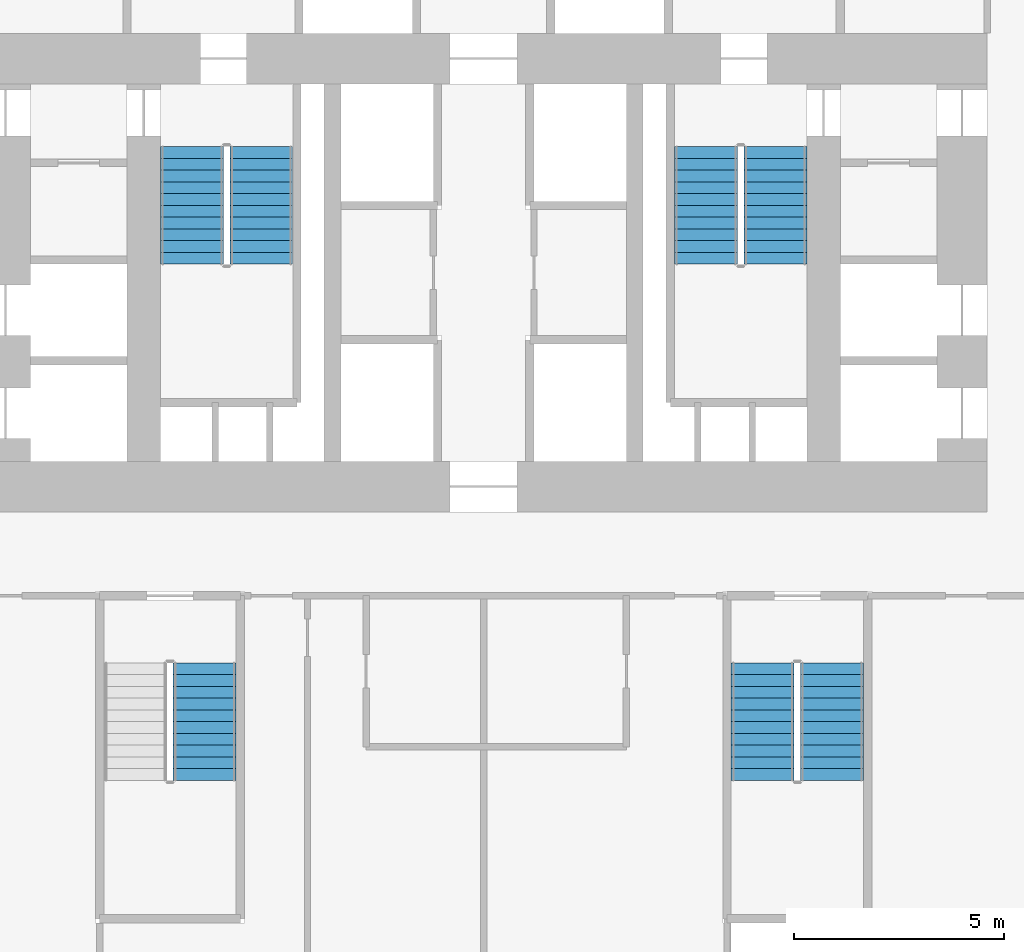
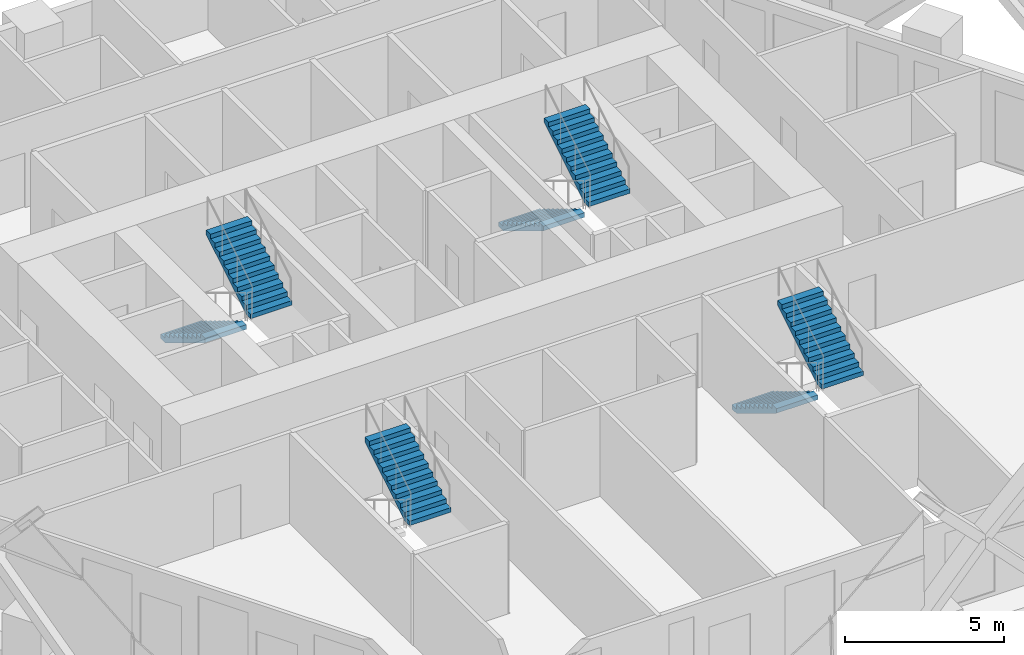
# One storey, part 16 of 22: 7 stair flights, 4 elements without a shape of their own.
"""IFC4 building model written with IfcOpenShell, lengths in metres."""

from ifc_helpers import new_model, si_unit, direction, frame, origin, place, context, subcontext, project, spatial, polyline, outline, extrude, material, type_object, element, aggregate, save


model = new_model("IFC4")

# Units and contexts
model_context = context("Model", 3, precision=1e-05, world=origin(), true_north=direction((0.0, 1.0)))
body_context = subcontext(model_context, "Body", "Model", "MODEL_VIEW")
ifc_project = project(units=[si_unit("LENGTHUNIT", "METRE"), si_unit("AREAUNIT", "SQUARE_METRE"), si_unit("VOLUMEUNIT", "CUBIC_METRE"), si_unit("PLANEANGLEUNIT", "RADIAN"), si_unit("MASSUNIT", "GRAM", prefix="KILO")], contexts=[model_context])

# Site, building, storey
site_placement = place(None, origin())
site = spatial("IfcSite", under=ifc_project, at=site_placement, CompositionType="ELEMENT")
building_placement = place(site_placement, origin())
building = spatial("IfcBuilding", under=site, at=building_placement, Name="Ostrander Bayou Hotel Tower", CompositionType="ELEMENT")
storey_placement = place(building_placement, frame((0.0, 0.0, 46.75)))
storey = spatial("IfcBuildingStorey", under=building, at=storey_placement, Name="L11", CompositionType="ELEMENT", Elevation=46.75)

# Stair, stair flights
ifc_material_1 = material(Name="Concrete f'c 45 MPa", Category="concrete")
stair_type = type_object("IfcStairType", Name="ST1 exit stair 1500 mm f'c 45 MPa", PredefinedType="HALF_TURN_STAIR", material=ifc_material_1)
stair_1_placement = place(storey_placement, origin())
stair_1 = element("IfcStair", 1, at=stair_1_placement, inside=storey, type_object=stair_type, Name="L11 exit stair A", PredefinedType="HALF_TURN_STAIR")
ifc_material_2 = material(Name="Concrete f'c 45 MPa", Category="concrete")
stair_flight_type = type_object("IfcStairFlightType", Name="SF1 stair flight 1500 mm f'c 45 MPa", PredefinedType="STRAIGHT", material=ifc_material_2)
stair_flight_1_placement = place(storey_placement, frame((-6.949951171875, 7.0, 0.0), z_axis=(0.0, 0.0, 1.0), x_axis=(0.0, -1.0, 0.0)))
stair_flight_1 = element("IfcStairFlight", 2, at=stair_flight_1_placement, type_object=stair_flight_type, Name="STA flight 1", NumberOfRisers=11, NumberOfTreads=10, PredefinedType="STRAIGHT", RiserHeight=0.170454545, TreadLength=0.28, context=body_context, shape_type="SweptSolid", body=[
    extrude(outline(polyline([(0.0, 0.0), (0.0, 0.17041015625), (0.280029296875, 0.17041015625), (0.280029296875, 0.3408203125), (0.56005859375, 0.3408203125), (0.56005859375, 0.511474609375), (0.840087890625, 0.511474609375), (0.840087890625, 0.681884765625), (1.1201171875, 0.681884765625), (1.1201171875, 0.852294921875), (1.39990234375, 0.852294921875), (1.39990234375, 1.022705078125), (1.679931640625, 1.022705078125), (1.679931640625, 1.193115234375), (1.9599609375, 1.193115234375), (1.9599609375, 1.363525390625), (2.239990234375, 1.363525390625), (2.239990234375, 1.5341796875), (2.52001953125, 1.5341796875), (2.52001953125, 1.70458984375), (2.800048828125, 1.70458984375), (2.800048828125, 1.875), (2.800048828125, 1.529052734375), (0.288330078125, 0.0), (0.0, 0.0)])), frame((0.0, 0.75, 0.0), z_axis=(0.0, -1.0, 0.0), x_axis=(1.0, 0.0, 0.0)), (0.0, 0.0, 1.0), 1.5),
])
stair_flight_2_placement = place(storey_placement, frame((-5.300048828125, 4.199951171875, 1.875), z_axis=(0.0, 0.0, 1.0), x_axis=(0.0, 1.0, 0.0)))
stair_flight_2 = element("IfcStairFlight", 3, at=stair_flight_2_placement, type_object=stair_flight_type, Name="STA flight 2", NumberOfRisers=11, NumberOfTreads=10, PredefinedType="STRAIGHT", RiserHeight=0.170454545, TreadLength=0.28, context=body_context, shape_type="SweptSolid", body=[
    extrude(outline(polyline([(0.0, 0.0), (0.0, 0.17041015625), (0.280029296875, 0.17041015625), (0.280029296875, 0.3408203125), (0.56005859375, 0.3408203125), (0.56005859375, 0.511474609375), (0.840087890625, 0.511474609375), (0.840087890625, 0.681884765625), (1.1201171875, 0.681884765625), (1.1201171875, 0.852294921875), (1.39990234375, 0.852294921875), (1.39990234375, 1.022705078125), (1.679931640625, 1.022705078125), (1.679931640625, 1.193115234375), (1.9599609375, 1.193115234375), (1.9599609375, 1.363525390625), (2.239990234375, 1.363525390625), (2.239990234375, 1.5341796875), (2.52001953125, 1.5341796875), (2.52001953125, 1.70458984375), (2.800048828125, 1.70458984375), (2.800048828125, 1.875), (2.800048828125, 1.529052734375), (0.288330078125, 0.0), (0.0, 0.0)])), frame((0.0, 0.75, 0.0), z_axis=(0.0, -1.0, 0.0), x_axis=(1.0, 0.0, 0.0)), (0.0, 0.0, 1.0), 1.5),
])
aggregate(stair_1, [stair_flight_1, stair_flight_2])

stair_2_placement = place(storey_placement, origin())
stair_2 = element("IfcStair", 4, at=stair_2_placement, inside=storey, type_object=stair_type, Name="L11 exit stair B", PredefinedType="HALF_TURN_STAIR")
stair_flight_3_placement = place(storey_placement, frame((5.300048828125, 7.0, 0.0), z_axis=(0.0, 0.0, 1.0), x_axis=(0.0, -1.0, 0.0)))
stair_flight_3 = element("IfcStairFlight", 5, at=stair_flight_3_placement, type_object=stair_flight_type, Name="STB flight 1", NumberOfRisers=11, NumberOfTreads=10, PredefinedType="STRAIGHT", RiserHeight=0.170454545, TreadLength=0.28, context=body_context, shape_type="SweptSolid", body=[
    extrude(outline(polyline([(0.0, 0.0), (0.0, 0.17041015625), (0.280029296875, 0.17041015625), (0.280029296875, 0.3408203125), (0.56005859375, 0.3408203125), (0.56005859375, 0.511474609375), (0.840087890625, 0.511474609375), (0.840087890625, 0.681884765625), (1.1201171875, 0.681884765625), (1.1201171875, 0.852294921875), (1.39990234375, 0.852294921875), (1.39990234375, 1.022705078125), (1.679931640625, 1.022705078125), (1.679931640625, 1.193115234375), (1.9599609375, 1.193115234375), (1.9599609375, 1.363525390625), (2.239990234375, 1.363525390625), (2.239990234375, 1.5341796875), (2.52001953125, 1.5341796875), (2.52001953125, 1.70458984375), (2.800048828125, 1.70458984375), (2.800048828125, 1.875), (2.800048828125, 1.529052734375), (0.288330078125, 0.0), (0.0, 0.0)])), frame((0.0, 0.75, 0.0), z_axis=(0.0, -1.0, 0.0), x_axis=(1.0, 0.0, 0.0)), (0.0, 0.0, 1.0), 1.5),
])
stair_flight_4_placement = place(storey_placement, frame((6.949951171875, 4.199951171875, 1.875), z_axis=(0.0, 0.0, 1.0), x_axis=(0.0, 1.0, 0.0)))
stair_flight_4 = element("IfcStairFlight", 6, at=stair_flight_4_placement, type_object=stair_flight_type, Name="STB flight 2", NumberOfRisers=11, NumberOfTreads=10, PredefinedType="STRAIGHT", RiserHeight=0.170454545, TreadLength=0.28, context=body_context, shape_type="SweptSolid", body=[
    extrude(outline(polyline([(0.0, 0.0), (0.0, 0.17041015625), (0.280029296875, 0.17041015625), (0.280029296875, 0.3408203125), (0.56005859375, 0.3408203125), (0.56005859375, 0.511474609375), (0.840087890625, 0.511474609375), (0.840087890625, 0.681884765625), (1.1201171875, 0.681884765625), (1.1201171875, 0.852294921875), (1.39990234375, 0.852294921875), (1.39990234375, 1.022705078125), (1.679931640625, 1.022705078125), (1.679931640625, 1.193115234375), (1.9599609375, 1.193115234375), (1.9599609375, 1.363525390625), (2.239990234375, 1.363525390625), (2.239990234375, 1.5341796875), (2.52001953125, 1.5341796875), (2.52001953125, 1.70458984375), (2.800048828125, 1.70458984375), (2.800048828125, 1.875), (2.800048828125, 1.529052734375), (0.288330078125, 0.0), (0.0, 0.0)])), frame((0.0, 0.75, 0.0), z_axis=(0.0, -1.0, 0.0), x_axis=(1.0, 0.0, 0.0)), (0.0, 0.0, 1.0), 1.5),
])
aggregate(stair_2, [stair_flight_3, stair_flight_4])

stair_3_placement = place(storey_placement, origin())
stair_3 = element("IfcStair", 7, at=stair_3_placement, inside=storey, type_object=stair_type, Name="L11 exit stair C", PredefinedType="HALF_TURN_STAIR")
stair_flight_5_placement = place(storey_placement, frame((6.64990234375, -5.300048828125, 0.0), z_axis=(0.0, 0.0, 1.0), x_axis=(0.0, -1.0, 0.0)))
stair_flight_5 = element("IfcStairFlight", 8, at=stair_flight_5_placement, type_object=stair_flight_type, Name="STC flight 1", NumberOfRisers=11, NumberOfTreads=10, PredefinedType="STRAIGHT", RiserHeight=0.170454545, TreadLength=0.28, context=body_context, shape_type="SweptSolid", body=[
    extrude(outline(polyline([(0.0, 0.0), (0.0, 0.17041015625), (0.280029296875, 0.17041015625), (0.280029296875, 0.3408203125), (0.56005859375, 0.3408203125), (0.56005859375, 0.511474609375), (0.840087890625, 0.511474609375), (0.840087890625, 0.681884765625), (1.1201171875, 0.681884765625), (1.1201171875, 0.852294921875), (1.39990234375, 0.852294921875), (1.39990234375, 1.022705078125), (1.679931640625, 1.022705078125), (1.679931640625, 1.193115234375), (1.9599609375, 1.193115234375), (1.9599609375, 1.363525390625), (2.239990234375, 1.363525390625), (2.239990234375, 1.5341796875), (2.52001953125, 1.5341796875), (2.52001953125, 1.70458984375), (2.800048828125, 1.70458984375), (2.800048828125, 1.875), (2.800048828125, 1.529052734375), (0.288330078125, 0.0), (0.0, 0.0)])), frame((0.0, 0.75, 0.0), z_axis=(0.0, -1.0, 0.0), x_axis=(1.0, 0.0, 0.0)), (0.0, 0.0, 1.0), 1.5),
])
stair_flight_6_placement = place(storey_placement, frame((8.300048828125, -8.10009765625, 1.875), z_axis=(0.0, 0.0, 1.0), x_axis=(0.0, 1.0, 0.0)))
stair_flight_6 = element("IfcStairFlight", 9, at=stair_flight_6_placement, type_object=stair_flight_type, Name="STC flight 2", NumberOfRisers=11, NumberOfTreads=10, PredefinedType="STRAIGHT", RiserHeight=0.170454545, TreadLength=0.28, context=body_context, shape_type="SweptSolid", body=[
    extrude(outline(polyline([(0.0, 0.0), (0.0, 0.17041015625), (0.280029296875, 0.17041015625), (0.280029296875, 0.3408203125), (0.56005859375, 0.3408203125), (0.56005859375, 0.511474609375), (0.840087890625, 0.511474609375), (0.840087890625, 0.681884765625), (1.1201171875, 0.681884765625), (1.1201171875, 0.852294921875), (1.39990234375, 0.852294921875), (1.39990234375, 1.022705078125), (1.679931640625, 1.022705078125), (1.679931640625, 1.193115234375), (1.9599609375, 1.193115234375), (1.9599609375, 1.363525390625), (2.239990234375, 1.363525390625), (2.239990234375, 1.5341796875), (2.52001953125, 1.5341796875), (2.52001953125, 1.70458984375), (2.800048828125, 1.70458984375), (2.800048828125, 1.875), (2.800048828125, 1.529052734375), (0.288330078125, 0.0), (0.0, 0.0)])), frame((0.0, 0.75, 0.0), z_axis=(0.0, -1.0, 0.0), x_axis=(1.0, 0.0, 0.0)), (0.0, 0.0, 1.0), 1.5),
])
aggregate(stair_3, [stair_flight_5, stair_flight_6])

# Stair, stair flight
stair_4_placement = place(storey_placement, origin())
stair_4 = element("IfcStair", 10, at=stair_4_placement, inside=storey, type_object=stair_type, Name="L11 exit stair D", PredefinedType="HALF_TURN_STAIR")
stair_flight_7_placement = place(storey_placement, frame((-6.64990234375, -8.10009765625, 1.875), z_axis=(0.0, 0.0, 1.0), x_axis=(0.0, 1.0, 0.0)))
stair_flight_7 = element("IfcStairFlight", 11, at=stair_flight_7_placement, type_object=stair_flight_type, Name="STD flight 2", NumberOfRisers=11, NumberOfTreads=10, PredefinedType="STRAIGHT", RiserHeight=0.170454545, TreadLength=0.28, context=body_context, shape_type="SweptSolid", body=[
    extrude(outline(polyline([(0.0, 0.0), (0.0, 0.17041015625), (0.280029296875, 0.17041015625), (0.280029296875, 0.3408203125), (0.56005859375, 0.3408203125), (0.56005859375, 0.511474609375), (0.840087890625, 0.511474609375), (0.840087890625, 0.681884765625), (1.1201171875, 0.681884765625), (1.1201171875, 0.852294921875), (1.39990234375, 0.852294921875), (1.39990234375, 1.022705078125), (1.679931640625, 1.022705078125), (1.679931640625, 1.193115234375), (1.9599609375, 1.193115234375), (1.9599609375, 1.363525390625), (2.239990234375, 1.363525390625), (2.239990234375, 1.5341796875), (2.52001953125, 1.5341796875), (2.52001953125, 1.70458984375), (2.800048828125, 1.70458984375), (2.800048828125, 1.875), (2.800048828125, 1.529052734375), (0.288330078125, 0.0), (0.0, 0.0)])), frame((0.0, 0.75, 0.0), z_axis=(0.0, -1.0, 0.0), x_axis=(1.0, 0.0, 0.0)), (0.0, 0.0, 1.0), 1.5),
])
aggregate(stair_4, [stair_flight_7])

save(model, "model.ifc")
